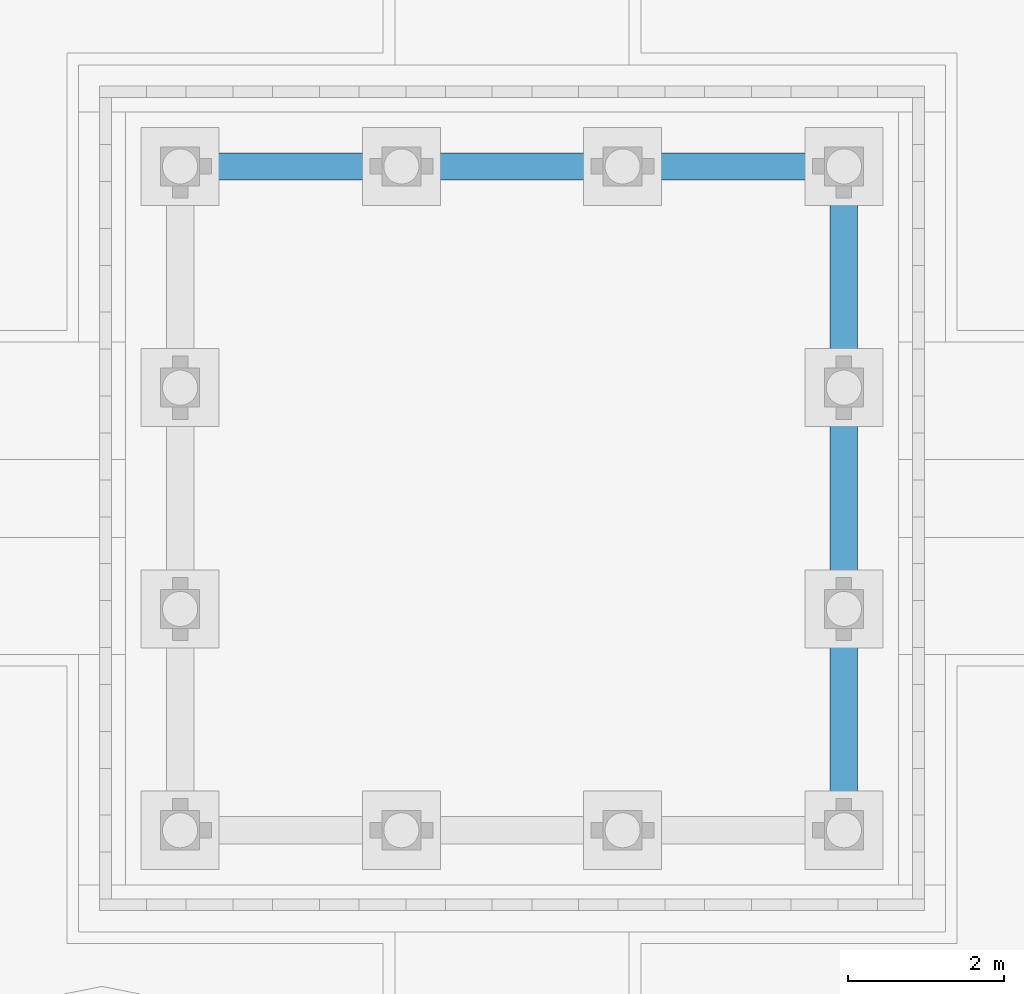
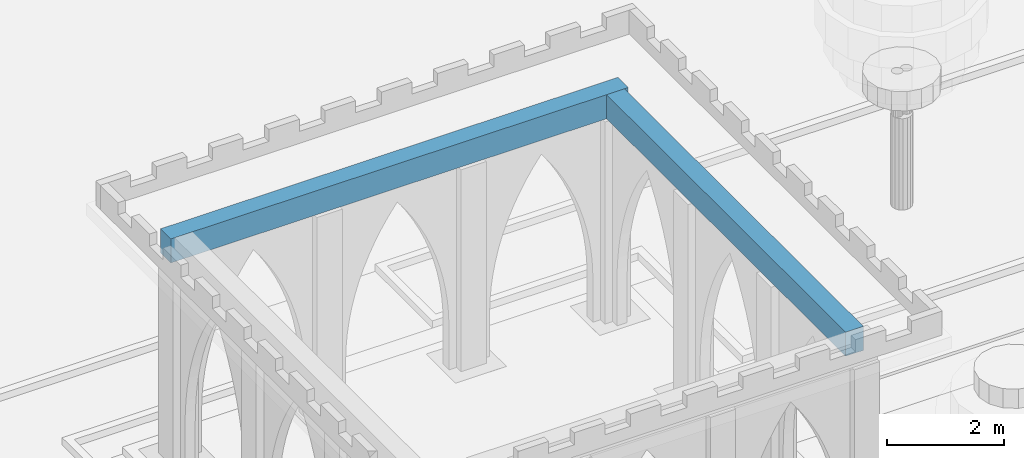
# One storey, part 42 of 250: 2 beams.
"""IFC4 building model written with IfcOpenShell, lengths in metres."""

from ifc_helpers import new_model, si_unit, direction, frame, origin, origin_2d, place, context, subcontext, project, spatial, rectangle, extrude, material, material_profile, profile_set, type_object, element, save


model = new_model("IFC4")

# Units and contexts
model_context = context("Model", 3, precision=1e-05, world=origin(), true_north=direction((0.0, 1.0)))
body_context = subcontext(model_context, "Body", "Model", "MODEL_VIEW")
ifc_project = project(units=[si_unit("LENGTHUNIT", "METRE"), si_unit("AREAUNIT", "SQUARE_METRE"), si_unit("VOLUMEUNIT", "CUBIC_METRE"), si_unit("PLANEANGLEUNIT", "RADIAN"), si_unit("MASSUNIT", "GRAM", prefix="KILO")], contexts=[model_context])

# Site, building, storey
site_placement = place(None, origin())
site = spatial("IfcSite", under=ifc_project, at=site_placement, CompositionType="ELEMENT")
building_placement = place(site_placement, origin())
building = spatial("IfcBuilding", under=site, at=building_placement, Name="Baradari Gate Terminus", CompositionType="ELEMENT")
storey_placement = place(building_placement, origin())
storey = spatial("IfcBuildingStorey", under=building, at=storey_placement, Name="L00", CompositionType="ELEMENT", Elevation=0.0)

# Beams
ifc_material = material(Name="Precast concrete C40/50", Category="concrete")
ifc_material_profile = material_profile(ifc_material, rectangle(XDim=0.35009765625, YDim=0.5, at=origin_2d()), Name="RC350X500")
ifc_profile_set = profile_set([ifc_material_profile], Name="Precast concrete C40/50")
beam_type = type_object("IfcBeamType", Name="Court pavilion edge beam CPB-1 350x500", PredefinedType="BEAM", material=ifc_profile_set)
beam_1_placement = place(storey_placement, frame((28.5, 101.75, 4.60009765625), z_axis=(1.0, 0.0, 0.0), x_axis=(0.0, 1.0, 0.0)))
element("IfcBeam", 1, at=beam_1_placement, inside=storey, type_object=beam_type, Name="Court pavilion edge beam 2", PredefinedType="BEAM", context=body_context, shape_type="SweptSolid", body=[
    extrude(rectangle(XDim=0.35009765625, YDim=0.5, at=origin_2d()), origin(), (0.0, 0.0, 1.0), 9.0),
])
beam_2_placement = place(storey_placement, frame((37.25, 93.425048828125, 4.60009765625), z_axis=(0.0, 1.0, 0.0), x_axis=(-1.0, 0.0, 0.0)))
element("IfcBeam", 2, at=beam_2_placement, inside=storey, type_object=beam_type, Name="Court pavilion edge beam 4", PredefinedType="BEAM", context=body_context, shape_type="SweptSolid", body=[
    extrude(rectangle(XDim=0.35009765625, YDim=0.5, at=origin_2d()), origin(), (0.0, 0.0, 1.0), 8.14990234375),
])

save(model, "model.ifc")
